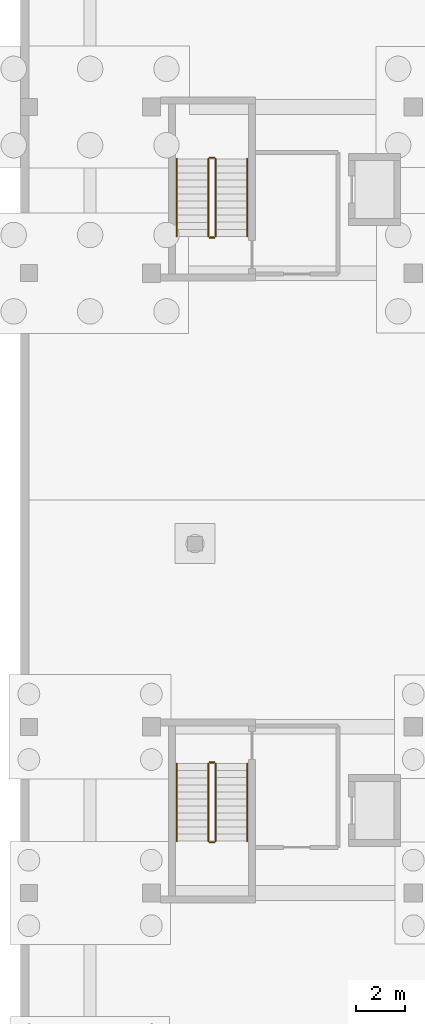
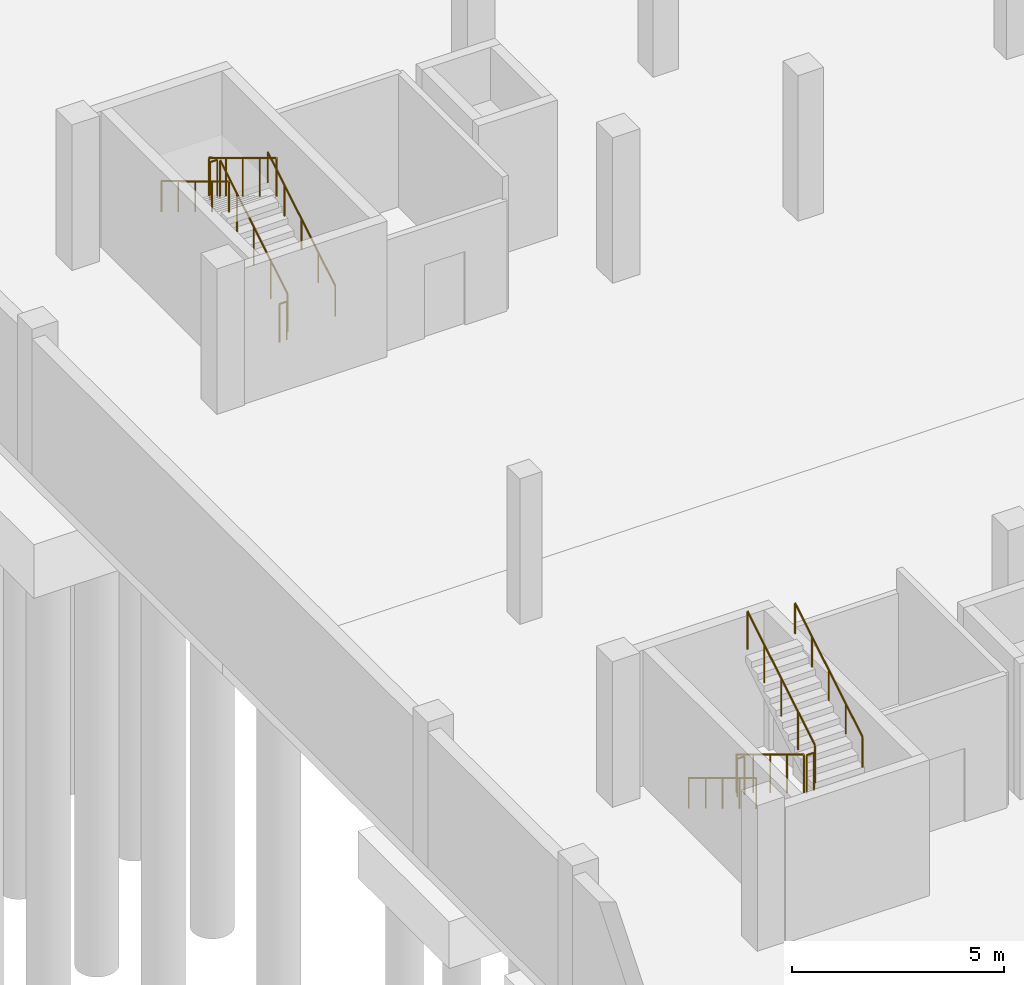
# One storey, part 31 of 36: 12 railings.
"""IFC4 building model written with IfcOpenShell, lengths in metres."""

from ifc_helpers import new_model, si_unit, derived_unit, direction, frame, origin, origin_2d, place, context, subcontext, project, spatial, circle, extrude, material, type_object, element, save


model = new_model("IFC4")

# Units and contexts
model_context = context("Model", 3, precision=1e-05, world=origin(), true_north=direction((0.0, 1.0)))
body_context = subcontext(model_context, "Body", "Model", "MODEL_VIEW")
ifc_project = project(units=[si_unit("LENGTHUNIT", "METRE"), si_unit("AREAUNIT", "SQUARE_METRE"), si_unit("VOLUMEUNIT", "CUBIC_METRE"), si_unit("PLANEANGLEUNIT", "RADIAN"), si_unit("MASSUNIT", "GRAM", prefix="KILO"), derived_unit("THERMALTRANSMITTANCEUNIT", [(si_unit("MASSUNIT", "GRAM", prefix="KILO"), 1), (si_unit("TIMEUNIT", "SECOND"), -3), (si_unit("THERMODYNAMICTEMPERATUREUNIT", "KELVIN"), -1)])], contexts=[model_context])

# Site, building, storey
site_placement = place(None, origin())
site = spatial("IfcSite", under=ifc_project, at=site_placement, CompositionType="ELEMENT")
building_placement = place(site_placement, origin())
building = spatial("IfcBuilding", under=site, at=building_placement, Name="Ochrekiln Boulevard Commons", CompositionType="ELEMENT")
storey_placement = place(building_placement, frame((0.0, 0.0, -4.199951171875)))
storey = spatial("IfcBuildingStorey", under=building, at=storey_placement, Name="B1", CompositionType="ELEMENT", Elevation=-4.199951171875)

# Railings
ifc_material = material(Name="Brushed stainless steel 316 tubular railing", Category="steel")
railing_type_1 = type_object("IfcRailingType", Name="RLG-HDR-900", PredefinedType="HANDRAIL", material=ifc_material)
railing_1_placement = place(storey_placement, frame((9.35009765625, 70.27001953125, 0.175048828125)))
element("IfcRailing", 1, at=railing_1_placement, inside=storey, type_object=railing_type_1, Name="B1 ST-A1 stair handrail 1", PredefinedType="HANDRAIL", context=body_context, shape_type="SweptSolid", body=[
    extrude(circle(Radius=0.02392578125, at=origin_2d()), frame((0.0, 0.0, 0.8759765625), z_axis=(0.0, 0.856206652436, 0.516633495163), x_axis=(-1.0, 0.0, 0.0)), (0.0, 0.0, 1.0), 3.7255859375),
    extrude(circle(Radius=0.02099609375, at=origin_2d()), origin(), (0.0, 0.0, 1.0), 0.851806640625),
    extrude(circle(Radius=0.02099609375, at=origin_2d()), frame((0.0, 0.79736328125, 0.481201171875)), (0.0, 0.0, 1.0), 0.851806640625),
    extrude(circle(Radius=0.02099609375, at=origin_2d()), frame((0.0, 1.594970703125, 0.96240234375)), (0.0, 0.0, 1.0), 0.851806640625),
    extrude(circle(Radius=0.02099609375, at=origin_2d()), frame((0.0, 2.392578125, 1.443603515625)), (0.0, 0.0, 1.0), 0.851806640625),
    extrude(circle(Radius=0.02099609375, at=origin_2d()), frame((0.0, 3.18994140625, 1.9248046875)), (0.0, 0.0, 1.0), 0.851806640625),
])
railing_2_placement = place(storey_placement, frame((6.449951171875, 73.4599609375, 2.27490234375)))
element("IfcRailing", 2, at=railing_2_placement, inside=storey, type_object=railing_type_1, Name="B1 ST-A1 stair handrail 2", PredefinedType="HANDRAIL", context=body_context, shape_type="SweptSolid", body=[
    extrude(circle(Radius=0.02392578125, at=origin_2d()), frame((0.0, 0.0, 0.8759765625), z_axis=(0.0, -0.856177665481, 0.516681531633), x_axis=(1.0, 0.0, 0.0)), (0.0, 0.0, 1.0), 3.725830078125),
    extrude(circle(Radius=0.02099609375, at=origin_2d()), origin(), (0.0, 0.0, 1.0), 0.851806640625),
    extrude(circle(Radius=0.02099609375, at=origin_2d()), frame((0.0, -0.79736328125, 0.481201171875)), (0.0, 0.0, 1.0), 0.851806640625),
    extrude(circle(Radius=0.02099609375, at=origin_2d()), frame((0.0, -1.594970703125, 0.96240234375)), (0.0, 0.0, 1.0), 0.851806640625),
    extrude(circle(Radius=0.02099609375, at=origin_2d()), frame((0.0, -2.392578125, 1.44384765625)), (0.0, 0.0, 1.0), 0.851806640625),
    extrude(circle(Radius=0.02099609375, at=origin_2d()), frame((0.0, -3.18994140625, 1.925048828125)), (0.0, 0.0, 1.0), 0.851806640625),
])
railing_3_placement = place(storey_placement, frame((6.449951171875, 48.530029296875, 0.175048828125)))
element("IfcRailing", 3, at=railing_3_placement, inside=storey, type_object=railing_type_1, Name="B1 ST-D2 stair handrail 1", PredefinedType="HANDRAIL", context=body_context, shape_type="SweptSolid", body=[
    extrude(circle(Radius=0.02392578125, at=origin_2d()), frame((0.0, 0.0, 0.8759765625), z_axis=(0.0, -0.856206652436, 0.516633495163), x_axis=(1.0, 0.0, 0.0)), (0.0, 0.0, 1.0), 3.7255859375),
    extrude(circle(Radius=0.02099609375, at=origin_2d()), origin(), (0.0, 0.0, 1.0), 0.851806640625),
    extrude(circle(Radius=0.02099609375, at=origin_2d()), frame((0.0, -0.79736328125, 0.481201171875)), (0.0, 0.0, 1.0), 0.851806640625),
    extrude(circle(Radius=0.02099609375, at=origin_2d()), frame((0.0, -1.594970703125, 0.96240234375)), (0.0, 0.0, 1.0), 0.851806640625),
    extrude(circle(Radius=0.02099609375, at=origin_2d()), frame((0.0, -2.392578125, 1.443603515625)), (0.0, 0.0, 1.0), 0.851806640625),
    extrude(circle(Radius=0.02099609375, at=origin_2d()), frame((0.0, -3.18994140625, 1.9248046875)), (0.0, 0.0, 1.0), 0.851806640625),
])
railing_4_placement = place(storey_placement, frame((9.35009765625, 45.340087890625, 2.27490234375)))
element("IfcRailing", 4, at=railing_4_placement, inside=storey, type_object=railing_type_1, Name="B1 ST-D2 stair handrail 2", PredefinedType="HANDRAIL", context=body_context, shape_type="SweptSolid", body=[
    extrude(circle(Radius=0.02392578125, at=origin_2d()), frame((0.0, 0.0, 0.8759765625), z_axis=(0.0, 0.856177665481, 0.516681531633), x_axis=(-1.0, 0.0, 0.0)), (0.0, 0.0, 1.0), 3.725830078125),
    extrude(circle(Radius=0.02099609375, at=origin_2d()), origin(), (0.0, 0.0, 1.0), 0.851806640625),
    extrude(circle(Radius=0.02099609375, at=origin_2d()), frame((0.0, 0.79736328125, 0.481201171875)), (0.0, 0.0, 1.0), 0.851806640625),
    extrude(circle(Radius=0.02099609375, at=origin_2d()), frame((0.0, 1.594970703125, 0.96240234375)), (0.0, 0.0, 1.0), 0.851806640625),
    extrude(circle(Radius=0.02099609375, at=origin_2d()), frame((0.0, 2.392578125, 1.44384765625)), (0.0, 0.0, 1.0), 0.851806640625),
    extrude(circle(Radius=0.02099609375, at=origin_2d()), frame((0.0, 3.18994140625, 1.925048828125)), (0.0, 0.0, 1.0), 0.851806640625),
])
railing_type_2 = type_object("IfcRailingType", Name="RLG-STR-1120", PredefinedType="BALUSTRADE", material=ifc_material)
railing_5_placement = place(storey_placement, frame((8.050048828125, 70.27001953125, 0.175048828125)))
element("IfcRailing", 5, at=railing_5_placement, inside=storey, type_object=railing_type_2, Name="B1 ST-A1 stair guard 1", PredefinedType="BALUSTRADE", context=body_context, shape_type="SweptSolid", body=[
    extrude(circle(Radius=0.02392578125, at=origin_2d()), frame((0.0, 0.0, 1.09619140625), z_axis=(0.0, 0.856206652436, 0.516633495163), x_axis=(-1.0, 0.0, 0.0)), (0.0, 0.0, 1.0), 3.7255859375),
    extrude(circle(Radius=0.02099609375, at=origin_2d()), origin(), (0.0, 0.0, 1.0), 1.072021484375),
    extrude(circle(Radius=0.02099609375, at=origin_2d()), frame((0.0, 0.79736328125, 0.481201171875)), (0.0, 0.0, 1.0), 1.072021484375),
    extrude(circle(Radius=0.02099609375, at=origin_2d()), frame((0.0, 1.594970703125, 0.96240234375)), (0.0, 0.0, 1.0), 1.072021484375),
    extrude(circle(Radius=0.02099609375, at=origin_2d()), frame((0.0, 2.392578125, 1.443603515625)), (0.0, 0.0, 1.0), 1.072021484375),
    extrude(circle(Radius=0.02099609375, at=origin_2d()), frame((0.0, 3.18994140625, 1.9248046875)), (0.0, 0.0, 1.0), 1.072021484375),
])
railing_6_placement = place(storey_placement, frame((8.0, 73.510009765625, 2.099853515625)))
element("IfcRailing", 6, at=railing_6_placement, inside=storey, type_object=railing_type_2, Name="B1 ST-A1 stair guard 2", PredefinedType="BALUSTRADE", context=body_context, shape_type="SweptSolid", body=[
    extrude(circle(Radius=0.02392578125, at=origin_2d()), frame((0.0, 0.0, 1.09619140625), z_axis=(-1.0, 0.0, 0.0), x_axis=(0.0, -1.0, 0.0)), (0.0, 0.0, 1.0), 0.199951171875),
    extrude(circle(Radius=0.02099609375, at=origin_2d()), origin(), (0.0, 0.0, 1.0), 1.072021484375),
    extrude(circle(Radius=0.02099609375, at=origin_2d()), frame((-0.199951171875, 0.0, 0.0)), (0.0, 0.0, 1.0), 1.072021484375),
])
railing_7_placement = place(storey_placement, frame((7.75, 73.4599609375, 2.27490234375)))
element("IfcRailing", 7, at=railing_7_placement, inside=storey, type_object=railing_type_2, Name="B1 ST-A1 stair guard 3", PredefinedType="BALUSTRADE", context=body_context, shape_type="SweptSolid", body=[
    extrude(circle(Radius=0.02392578125, at=origin_2d()), frame((0.0, 0.0, 1.09619140625), z_axis=(0.0, -0.856177665481, 0.516681531633), x_axis=(1.0, 0.0, 0.0)), (0.0, 0.0, 1.0), 3.725830078125),
    extrude(circle(Radius=0.02099609375, at=origin_2d()), origin(), (0.0, 0.0, 1.0), 1.072021484375),
    extrude(circle(Radius=0.02099609375, at=origin_2d()), frame((0.0, -0.79736328125, 0.481201171875)), (0.0, 0.0, 1.0), 1.072021484375),
    extrude(circle(Radius=0.02099609375, at=origin_2d()), frame((0.0, -1.594970703125, 0.96240234375)), (0.0, 0.0, 1.0), 1.072021484375),
    extrude(circle(Radius=0.02099609375, at=origin_2d()), frame((0.0, -2.392578125, 1.44384765625)), (0.0, 0.0, 1.0), 1.072021484375),
    extrude(circle(Radius=0.02099609375, at=origin_2d()), frame((0.0, -3.18994140625, 1.925048828125)), (0.0, 0.0, 1.0), 1.072021484375),
])
railing_8_placement = place(storey_placement, frame((8.0, 70.219970703125, 0.0)))
element("IfcRailing", 8, at=railing_8_placement, inside=storey, type_object=railing_type_2, Name="B1 ST-A1 stair guard 4", PredefinedType="BALUSTRADE", context=body_context, shape_type="SweptSolid", body=[
    extrude(circle(Radius=0.02392578125, at=origin_2d()), frame((0.0, 0.0, 1.09619140625), z_axis=(-1.0, 0.0, 0.0), x_axis=(0.0, -1.0, 0.0)), (0.0, 0.0, 1.0), 0.199951171875),
    extrude(circle(Radius=0.02099609375, at=origin_2d()), origin(), (0.0, 0.0, 1.0), 1.072021484375),
    extrude(circle(Radius=0.02099609375, at=origin_2d()), frame((-0.199951171875, 0.0, 0.0)), (0.0, 0.0, 1.0), 1.072021484375),
])
railing_9_placement = place(storey_placement, frame((7.75, 48.530029296875, 0.175048828125)))
element("IfcRailing", 9, at=railing_9_placement, inside=storey, type_object=railing_type_2, Name="B1 ST-D2 stair guard 1", PredefinedType="BALUSTRADE", context=body_context, shape_type="SweptSolid", body=[
    extrude(circle(Radius=0.02392578125, at=origin_2d()), frame((0.0, 0.0, 1.09619140625), z_axis=(0.0, -0.856206652436, 0.516633495163), x_axis=(1.0, 0.0, 0.0)), (0.0, 0.0, 1.0), 3.7255859375),
    extrude(circle(Radius=0.02099609375, at=origin_2d()), origin(), (0.0, 0.0, 1.0), 1.072021484375),
    extrude(circle(Radius=0.02099609375, at=origin_2d()), frame((0.0, -0.79736328125, 0.481201171875)), (0.0, 0.0, 1.0), 1.072021484375),
    extrude(circle(Radius=0.02099609375, at=origin_2d()), frame((0.0, -1.594970703125, 0.96240234375)), (0.0, 0.0, 1.0), 1.072021484375),
    extrude(circle(Radius=0.02099609375, at=origin_2d()), frame((0.0, -2.392578125, 1.443603515625)), (0.0, 0.0, 1.0), 1.072021484375),
    extrude(circle(Radius=0.02099609375, at=origin_2d()), frame((0.0, -3.18994140625, 1.9248046875)), (0.0, 0.0, 1.0), 1.072021484375),
])
railing_10_placement = place(storey_placement, frame((7.800048828125, 45.2900390625, 2.099853515625)))
element("IfcRailing", 10, at=railing_10_placement, inside=storey, type_object=railing_type_2, Name="B1 ST-D2 stair guard 2", PredefinedType="BALUSTRADE", context=body_context, shape_type="SweptSolid", body=[
    extrude(circle(Radius=0.02392578125, at=origin_2d()), frame((0.0, 0.0, 1.09619140625), z_axis=(1.0, 0.0, 0.0), x_axis=(0.0, 1.0, 0.0)), (0.0, 0.0, 1.0), 0.199951171875),
    extrude(circle(Radius=0.02099609375, at=origin_2d()), origin(), (0.0, 0.0, 1.0), 1.072021484375),
    extrude(circle(Radius=0.02099609375, at=origin_2d()), frame((0.199951171875, 0.0, 0.0)), (0.0, 0.0, 1.0), 1.072021484375),
])
railing_11_placement = place(storey_placement, frame((8.050048828125, 45.340087890625, 2.27490234375)))
element("IfcRailing", 11, at=railing_11_placement, inside=storey, type_object=railing_type_2, Name="B1 ST-D2 stair guard 3", PredefinedType="BALUSTRADE", context=body_context, shape_type="SweptSolid", body=[
    extrude(circle(Radius=0.02392578125, at=origin_2d()), frame((0.0, 0.0, 1.09619140625), z_axis=(0.0, 0.856177665481, 0.516681531633), x_axis=(-1.0, 0.0, 0.0)), (0.0, 0.0, 1.0), 3.725830078125),
    extrude(circle(Radius=0.02099609375, at=origin_2d()), origin(), (0.0, 0.0, 1.0), 1.072021484375),
    extrude(circle(Radius=0.02099609375, at=origin_2d()), frame((0.0, 0.79736328125, 0.481201171875)), (0.0, 0.0, 1.0), 1.072021484375),
    extrude(circle(Radius=0.02099609375, at=origin_2d()), frame((0.0, 1.594970703125, 0.96240234375)), (0.0, 0.0, 1.0), 1.072021484375),
    extrude(circle(Radius=0.02099609375, at=origin_2d()), frame((0.0, 2.392578125, 1.44384765625)), (0.0, 0.0, 1.0), 1.072021484375),
    extrude(circle(Radius=0.02099609375, at=origin_2d()), frame((0.0, 3.18994140625, 1.925048828125)), (0.0, 0.0, 1.0), 1.072021484375),
])
railing_12_placement = place(storey_placement, frame((7.800048828125, 48.580078125, 0.0)))
element("IfcRailing", 12, at=railing_12_placement, inside=storey, type_object=railing_type_2, Name="B1 ST-D2 stair guard 4", PredefinedType="BALUSTRADE", context=body_context, shape_type="SweptSolid", body=[
    extrude(circle(Radius=0.02392578125, at=origin_2d()), frame((0.0, 0.0, 1.09619140625), z_axis=(1.0, 0.0, 0.0), x_axis=(0.0, 1.0, 0.0)), (0.0, 0.0, 1.0), 0.199951171875),
    extrude(circle(Radius=0.02099609375, at=origin_2d()), origin(), (0.0, 0.0, 1.0), 1.072021484375),
    extrude(circle(Radius=0.02099609375, at=origin_2d()), frame((0.199951171875, 0.0, 0.0)), (0.0, 0.0, 1.0), 1.072021484375),
])

save(model, "model.ifc")
